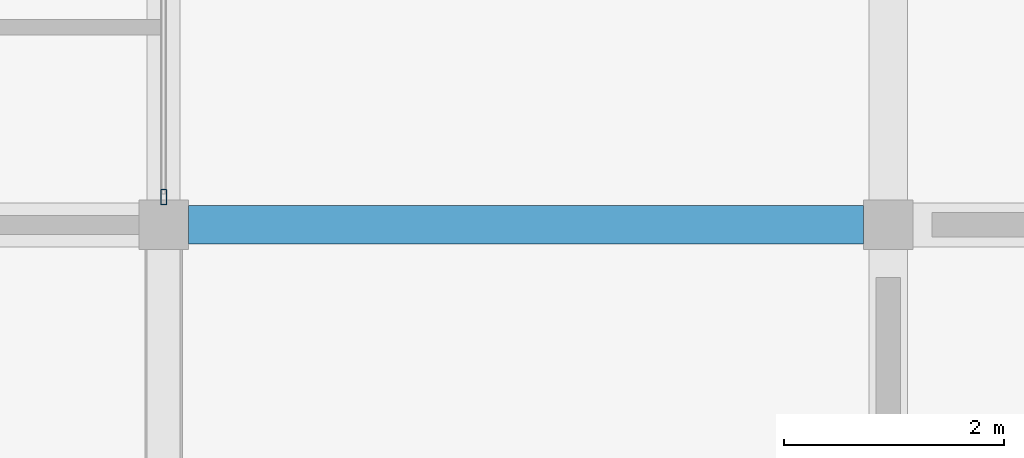
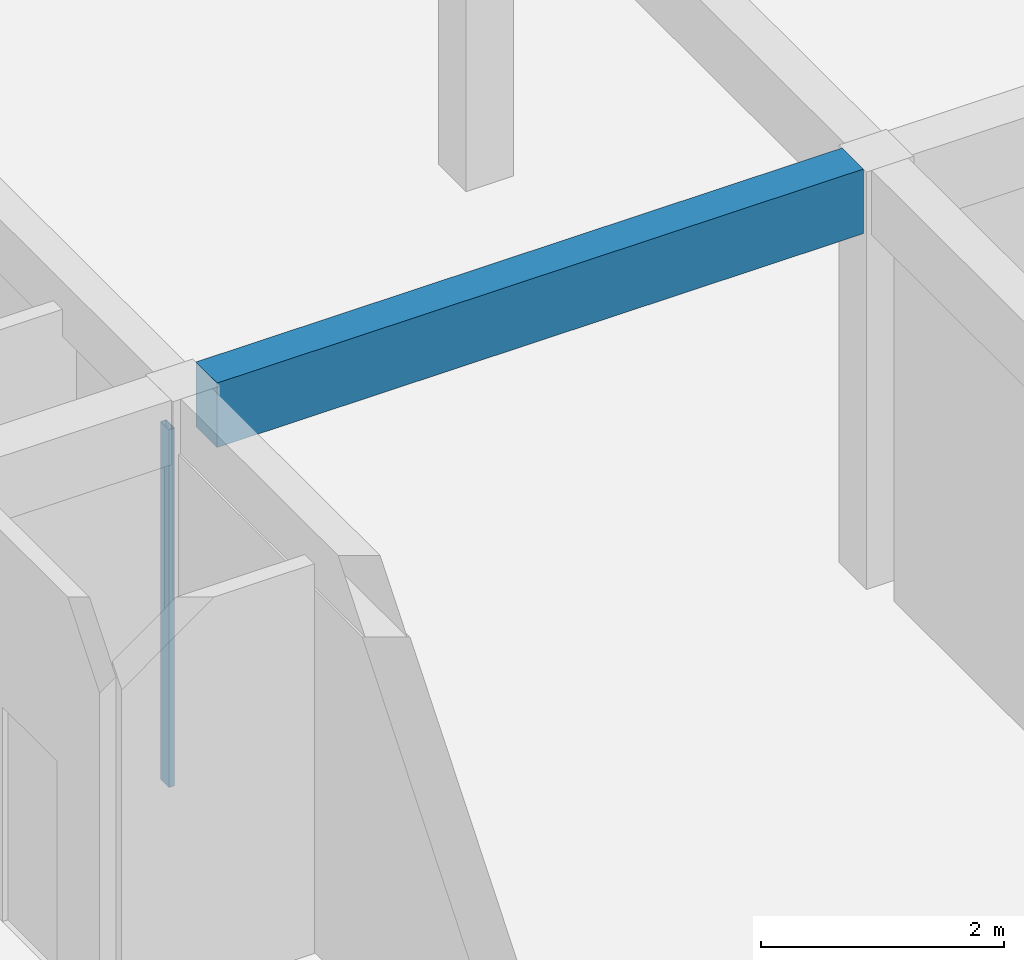
# One storey, part 13 of 75: 1 beam, 1 member, 1 element without a shape of its own.
"""IFC4 building model written with IfcOpenShell, lengths in metres."""

from ifc_helpers import new_model, si_unit, direction, frame, origin, origin_2d, place, context, subcontext, project, spatial, rectangle, hollow_rectangle, extrude, material, material_profile, profile_set, type_object, element, aggregate, save


model = new_model("IFC4")

# Units and contexts
model_context = context("Model", 3, precision=1e-05, world=origin(), true_north=direction((0.0, 1.0)))
body_context = subcontext(model_context, "Body", "Model", "MODEL_VIEW")
ifc_project = project(units=[si_unit("LENGTHUNIT", "METRE"), si_unit("AREAUNIT", "SQUARE_METRE"), si_unit("VOLUMEUNIT", "CUBIC_METRE"), si_unit("PLANEANGLEUNIT", "RADIAN"), si_unit("MASSUNIT", "GRAM", prefix="KILO")], contexts=[model_context])

# Site, building, storey
site_placement = place(None, origin())
site = spatial("IfcSite", under=ifc_project, at=site_placement, CompositionType="ELEMENT")
building_placement = place(site_placement, origin())
building = spatial("IfcBuilding", under=site, at=building_placement, Name="Kernevlak Ridge Housing Community", CompositionType="ELEMENT")
storey_placement = place(building_placement, origin())
storey = spatial("IfcBuildingStorey", under=building, at=storey_placement, Name="L00", CompositionType="ELEMENT", Elevation=0.0)

# Beam
ifc_material_1 = material(Name="Concrete C35/45", Category="concrete")
ifc_material_profile_1 = material_profile(ifc_material_1, rectangle(XDim=0.35009765625, YDim=0.64990234375, at=origin_2d()), Name="RC 350x650")
ifc_profile_set_1 = profile_set([ifc_material_profile_1], Name="Concrete C35/45")
beam_type = type_object("IfcBeamType", Name="B-02", PredefinedType="BEAM", material=ifc_profile_set_1)
beam_placement = place(storey_placement, frame((42.22509765625, 22.199951171875, 3.875), z_axis=(1.0, 0.0, 0.0), x_axis=(0.0, 1.0, 0.0)))
element("IfcBeam", 1, at=beam_placement, inside=storey, type_object=beam_type, Name="Beam B-02 L00 2067", PredefinedType="BEAM", context=body_context, shape_type="SweptSolid", body=[
    extrude(rectangle(XDim=0.35009765625, YDim=0.64990234375, at=origin_2d()), origin(), (0.0, 0.0, 1.0), 6.14990234375),
])

# Curtain wall, member
ifc_material_2 = material(Name="Aluminium EN AW-6060 anodised and laminated glass", Category="aluminium")
curtain_wall_type = type_object("IfcCurtainWallType", Name="CW-02", PredefinedType="NOTDEFINED", material=ifc_material_2)
curtain_wall_placement = place(storey_placement, origin())
curtain_wall = element("IfcCurtainWall", 2, at=curtain_wall_placement, inside=storey, type_object=curtain_wall_type, Name="Curtain wall CW-02 CW-L00-141", PredefinedType="NOTDEFINED")
ifc_material_3 = material(Name="Aluminium EN AW-6060 anodised", Category="aluminium")
ifc_material_profile_2 = material_profile(ifc_material_3, hollow_rectangle(XDim=0.054931640625, YDim=0.139892578125, WallThickness=0.00390625, InnerFilletRadius=0.001953125, OuterFilletRadius=0.00390625, at=origin_2d()), Name="ALU 55x140x4")
ifc_profile_set_2 = profile_set([ifc_material_profile_2], Name="Aluminium EN AW-6060 anodised")
member_type = type_object("IfcMemberType", Name="MU-01", PredefinedType="MULLION", material=ifc_profile_set_2)
member_placement = place(storey_placement, frame((42.0, 22.452392578125, 0.0), z_axis=(0.0, 0.0, 1.0), x_axis=(-1.0, 0.0, 0.0)))
member = element("IfcMember", 3, at=member_placement, type_object=member_type, Name="CW-02 mullion 1", PredefinedType="MULLION", context=body_context, shape_type="SweptSolid", body=[
    extrude(hollow_rectangle(XDim=0.054931640625, YDim=0.139892578125, WallThickness=0.00390625, InnerFilletRadius=0.001953125, OuterFilletRadius=0.00390625, at=origin_2d()), origin(), (0.0, 0.0, 1.0), 3.60009765625),
])
aggregate(curtain_wall, [member])

save(model, "model.ifc")
